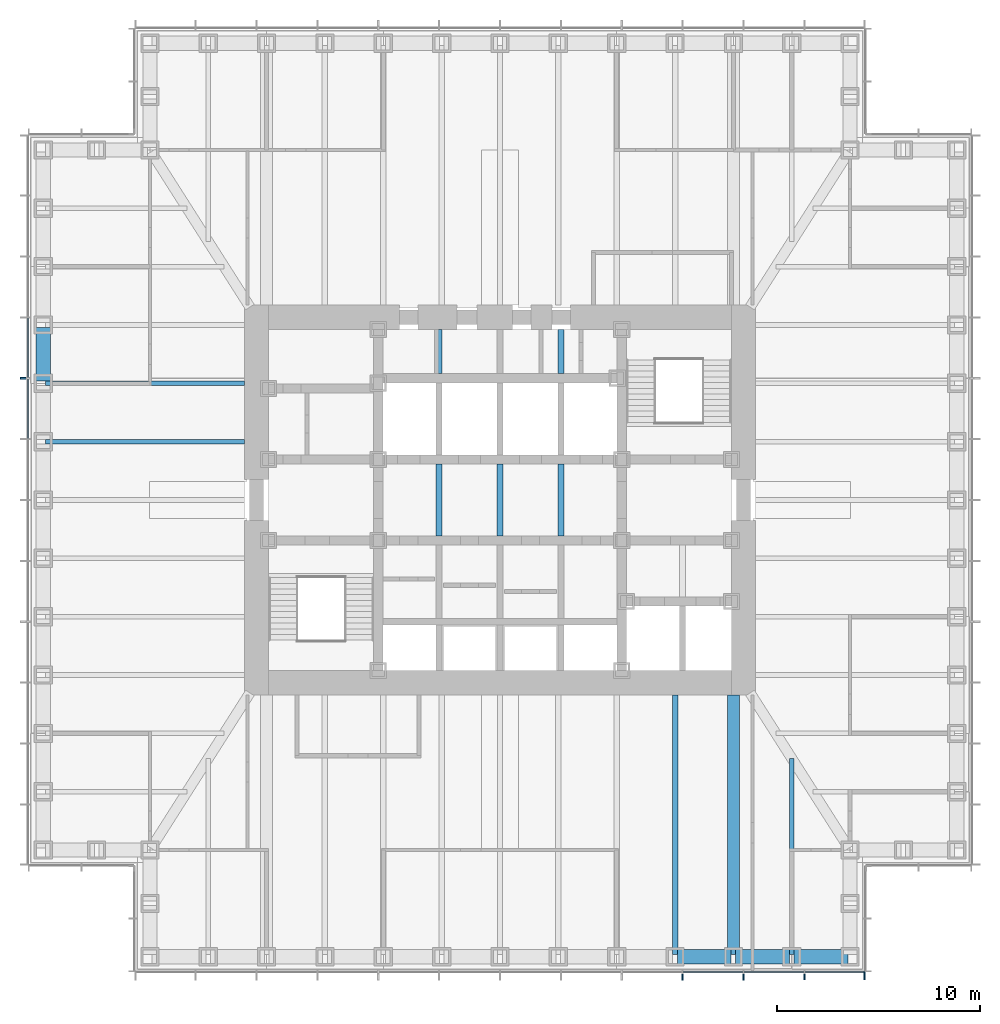
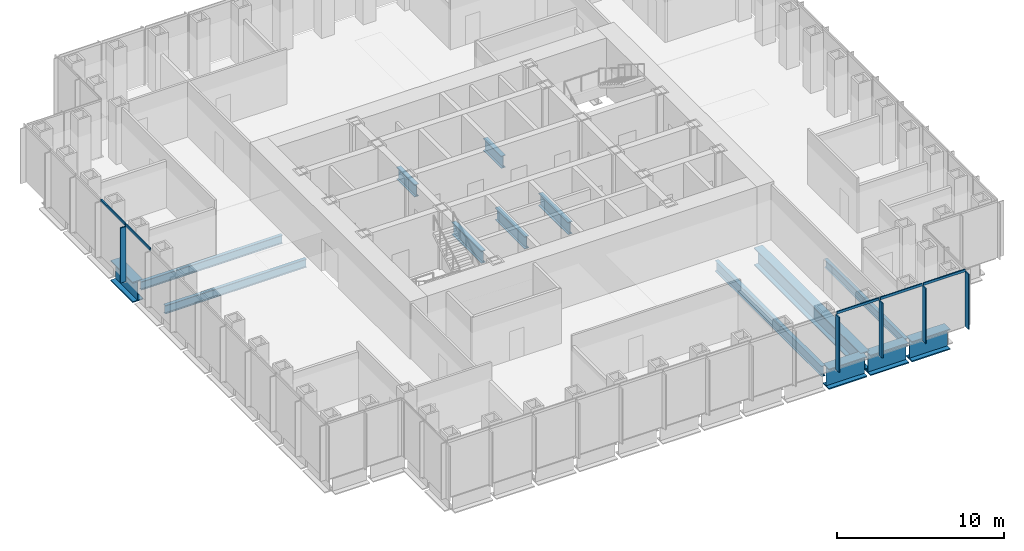
# One storey, part 3 of 17: 14 beams, 10 members, 2 elements without a shape of their own.
"""IFC4 building model written with IfcOpenShell, lengths in metres."""

from ifc_helpers import new_model, si_unit, direction, frame, origin, origin_2d, place, context, subcontext, project, spatial, rectangle, i_section, extrude, material, material_profile, profile_set, type_object, element, aggregate, save


model = new_model("IFC4")

# Units and contexts
model_context = context("Model", 3, precision=1e-05, world=origin(), true_north=direction((0.0, 1.0)))
body_context = subcontext(model_context, "Body", "Model", "MODEL_VIEW")
ifc_project = project(units=[si_unit("LENGTHUNIT", "METRE"), si_unit("AREAUNIT", "SQUARE_METRE"), si_unit("VOLUMEUNIT", "CUBIC_METRE"), si_unit("PLANEANGLEUNIT", "RADIAN"), si_unit("MASSUNIT", "GRAM", prefix="KILO")], contexts=[model_context])

# Site, building, storey
site_placement = place(None, origin())
site = spatial("IfcSite", under=ifc_project, at=site_placement, CompositionType="ELEMENT")
building_placement = place(site_placement, origin())
building = spatial("IfcBuilding", under=site, at=building_placement, Name="Daluyong Arena Tower", CompositionType="ELEMENT")
storey_placement = place(building_placement, frame((0.0, 0.0, 150.10009765625)))
storey = spatial("IfcBuildingStorey", under=building, at=storey_placement, Name="L33", CompositionType="ELEMENT", Elevation=150.10009765625)

# Curtain wall, members
ifc_material_1 = material(Name="Bronze anodised aluminium and glass", Category="aluminium")
curtain_wall_type = type_object("IfcCurtainWallType", Name="Curtain wall CW2", PredefinedType="USERDEFINED", material=ifc_material_1)
curtain_wall_1_placement = place(storey_placement, origin())
curtain_wall_1 = element("IfcCurtainWall", 1, at=curtain_wall_1_placement, inside=storey, type_object=curtain_wall_type, Name="curtain wall L33 S", ObjectType="UNITISED CURTAIN WALL", PredefinedType="USERDEFINED")
ifc_material_2 = material(Name="Bronze anodised aluminium fin", Category="aluminium")
ifc_material_profile_1 = material_profile(ifc_material_2, rectangle(XDim=0.39990234375, YDim=0.080078125, at=origin_2d()))
ifc_profile_set_1 = profile_set([ifc_material_profile_1], Name="Bronze anodised aluminium fin")
member_type_1 = type_object("IfcMemberType", Name="CW2 bronze fin 400x80", PredefinedType="MULLION", material=ifc_profile_set_1)
member_1_placement = place(storey_placement, frame((65.0, 56.550048828125, 0.0), z_axis=(0.0, 0.0, 1.0), x_axis=(0.0, 1.0, 0.0)))
member_1 = element("IfcMember", 2, at=member_1_placement, type_object=member_type_1, Name="curtain wall L33 S fin 10", PredefinedType="MULLION", context=body_context, shape_type="SweptSolid", body=[
    extrude(rectangle(XDim=0.39990234375, YDim=0.080078125, at=origin_2d()), origin(), (0.0, 0.0, 1.0), 4.02001953125),
])
member_2_placement = place(storey_placement, frame((68.0, 56.550048828125, 0.0), z_axis=(0.0, 0.0, 1.0), x_axis=(0.0, 1.0, 0.0)))
member_2 = element("IfcMember", 3, at=member_2_placement, type_object=member_type_1, Name="curtain wall L33 S fin 11", PredefinedType="MULLION", context=body_context, shape_type="SweptSolid", body=[
    extrude(rectangle(XDim=0.39990234375, YDim=0.080078125, at=origin_2d()), origin(), (0.0, 0.0, 1.0), 4.02001953125),
])
member_3_placement = place(storey_placement, frame((71.0, 56.550048828125, 0.0), z_axis=(0.0, 0.0, 1.0), x_axis=(0.0, 1.0, 0.0)))
member_3 = element("IfcMember", 4, at=member_3_placement, type_object=member_type_1, Name="curtain wall L33 S fin 12", PredefinedType="MULLION", context=body_context, shape_type="SweptSolid", body=[
    extrude(rectangle(XDim=0.39990234375, YDim=0.080078125, at=origin_2d()), origin(), (0.0, 0.0, 1.0), 4.02001953125),
])
member_4_placement = place(storey_placement, frame((73.9599609375, 56.550048828125, 0.0), z_axis=(0.0, 0.0, 1.0), x_axis=(0.0, 1.0, 0.0)))
member_4 = element("IfcMember", 5, at=member_4_placement, type_object=member_type_1, Name="curtain wall L33 S fin 13", PredefinedType="MULLION", context=body_context, shape_type="SweptSolid", body=[
    extrude(rectangle(XDim=0.39990234375, YDim=0.080078125, at=origin_2d()), origin(), (0.0, 0.0, 1.0), 4.02001953125),
])

# Curtain wall, member
curtain_wall_2_placement = place(storey_placement, origin())
curtain_wall_2 = element("IfcCurtainWall", 6, at=curtain_wall_2_placement, inside=storey, type_object=curtain_wall_type, Name="curtain wall L33 W", ObjectType="UNITISED CURTAIN WALL", PredefinedType="USERDEFINED")
member_5_placement = place(storey_placement, frame((32.550048828125, 86.0, 0.0), z_axis=(0.0, 0.0, 1.0), x_axis=(1.0, 0.0, 0.0)))
member_5 = element("IfcMember", 7, at=member_5_placement, type_object=member_type_1, Name="curtain wall L33 W fin 5", PredefinedType="MULLION", context=body_context, shape_type="SweptSolid", body=[
    extrude(rectangle(XDim=0.39990234375, YDim=0.080078125, at=origin_2d()), origin(), (0.0, 0.0, 1.0), 4.02001953125),
])

# Member
ifc_material_3 = material(Name="Bronze anodised aluminium", Category="aluminium")
ifc_material_profile_2 = material_profile(ifc_material_3, rectangle(XDim=0.080078125, YDim=0.179931640625, at=origin_2d()))
ifc_profile_set_2 = profile_set([ifc_material_profile_2], Name="Bronze anodised aluminium")
member_type_2 = type_object("IfcMemberType", Name="CW2 stack transom 180x80", PredefinedType="USERDEFINED", material=ifc_profile_set_2)
member_6_placement = place(storey_placement, frame((65.0400390625, 56.75, 4.10986328125), z_axis=(1.0, 0.0, 0.0), x_axis=(0.0, 1.0, 0.0)))
member_6 = element("IfcMember", 8, at=member_6_placement, type_object=member_type_2, Name="curtain wall L33 S transom 10", ObjectType="TRANSOM", PredefinedType="USERDEFINED", context=body_context, shape_type="SweptSolid", body=[
    extrude(rectangle(XDim=0.080078125, YDim=0.179931640625, at=origin_2d()), origin(), (0.0, 0.0, 1.0), 2.919921875),
])

member_7_placement = place(storey_placement, frame((68.0400390625, 56.75, 4.10986328125), z_axis=(1.0, 0.0, 0.0), x_axis=(0.0, 1.0, 0.0)))
member_7 = element("IfcMember", 9, at=member_7_placement, type_object=member_type_2, Name="curtain wall L33 S transom 11", ObjectType="TRANSOM", PredefinedType="USERDEFINED", context=body_context, shape_type="SweptSolid", body=[
    extrude(rectangle(XDim=0.080078125, YDim=0.179931640625, at=origin_2d()), origin(), (0.0, 0.0, 1.0), 2.919921875),
])

member_8_placement = place(storey_placement, frame((71.0400390625, 56.75, 4.10986328125), z_axis=(1.0, 0.0, 0.0), x_axis=(0.0, 1.0, 0.0)))
member_8 = element("IfcMember", 10, at=member_8_placement, type_object=member_type_2, Name="curtain wall L33 S transom 12", ObjectType="TRANSOM", PredefinedType="USERDEFINED", context=body_context, shape_type="SweptSolid", body=[
    extrude(rectangle(XDim=0.080078125, YDim=0.179931640625, at=origin_2d()), origin(), (0.0, 0.0, 1.0), 2.8798828125),
])

aggregate(curtain_wall_1, [member_1, member_2, member_3, member_4, member_6, member_7, member_8])

member_9_placement = place(storey_placement, frame((32.75, 88.9599609375, 4.10986328125), z_axis=(0.0, -1.0, 0.0), x_axis=(1.0, 0.0, 0.0)))
member_9 = element("IfcMember", 11, at=member_9_placement, type_object=member_type_2, Name="curtain wall L33 W transom 4", ObjectType="TRANSOM", PredefinedType="USERDEFINED", context=body_context, shape_type="SweptSolid", body=[
    extrude(rectangle(XDim=0.080078125, YDim=0.179931640625, at=origin_2d()), origin(), (0.0, 0.0, 1.0), 2.919921875),
])

member_10_placement = place(storey_placement, frame((32.75, 85.9599609375, 4.10986328125), z_axis=(0.0, -1.0, 0.0), x_axis=(1.0, 0.0, 0.0)))
member_10 = element("IfcMember", 12, at=member_10_placement, type_object=member_type_2, Name="curtain wall L33 W transom 5", ObjectType="TRANSOM", PredefinedType="USERDEFINED", context=body_context, shape_type="SweptSolid", body=[
    extrude(rectangle(XDim=0.080078125, YDim=0.179931640625, at=origin_2d()), origin(), (0.0, 0.0, 1.0), 2.919921875),
])

aggregate(curtain_wall_2, [member_5, member_9, member_10])

# Beams
ifc_material_4 = material(Name="Steel ASTM A572 Grade 50", Category="steel")
ifc_material_profile_3 = material_profile(ifc_material_4, i_section(OverallWidth=0.60009765625, OverallDepth=1.300048828125, WebThickness=0.035, FlangeThickness=0.07, at=origin_2d()))
ifc_profile_set_3 = profile_set([ifc_material_profile_3], Name="Steel ASTM A572 Grade 50")
beam_type_1 = type_object("IfcBeamType", Name="Floor beam TB1300X600", PredefinedType="BEAM", material=ifc_profile_set_3)
beam_1_placement = place(storey_placement, frame((67.5, 57.614990234375, -0.81005859375), z_axis=(0.0, 1.0, 0.0), x_axis=(-1.0, 0.0, 0.0)))
element("IfcBeam", 13, at=beam_1_placement, inside=storey, type_object=beam_type_1, Name="floor beam FB7", PredefinedType="BEAM", context=body_context, shape_type="SweptSolid", body=[
    extrude(i_section(OverallWidth=0.60009765625, OverallDepth=1.300048828125, WebThickness=0.035, FlangeThickness=0.07, at=origin_2d()), origin(), (0.0, 0.0, 1.0), 12.784912109375),
])
ifc_material_5 = material(Name="Steel ASTM A992 Grade 50", Category="steel")
ifc_material_profile_4 = material_profile(ifc_material_5, i_section(OverallWidth=0.22900390625, OverallDepth=0.612060546875, WebThickness=0.011962890625, FlangeThickness=0.01953125, at=origin_2d()))
ifc_profile_set_4 = profile_set([ifc_material_profile_4], Name="Steel ASTM A992 Grade 50")
beam_type_2 = type_object("IfcBeamType", Name="Floor beam W24X84", PredefinedType="BEAM", material=ifc_profile_set_4)
beam_2_placement = place(storey_placement, frame((70.375, 57.614990234375, -0.466064453125), z_axis=(0.0, 1.0, 0.0), x_axis=(-1.0, 0.0, 0.0)))
element("IfcBeam", 14, at=beam_2_placement, inside=storey, type_object=beam_type_2, Name="floor beam FB3", PredefinedType="BEAM", context=body_context, shape_type="SweptSolid", body=[
    extrude(i_section(OverallWidth=0.22900390625, OverallDepth=0.612060546875, WebThickness=0.011962890625, FlangeThickness=0.01953125, at=origin_2d()), origin(), (0.0, 0.0, 1.0), 9.65283203125),
])
for number, where, z_axis, x_axis, name in (
    (15, (33.614990234375, 85.75, -0.466064453125), (1.0, 0.0, 0.0), (0.0, 1.0, 0.0), "floor beam FB3"),
    (16, (33.614990234375, 82.875, -0.466064453125), (1.0, 0.0, 0.0), (0.0, 1.0, 0.0), "floor beam FB3"),
):
    element("IfcBeam", number, at=place(storey_placement, frame(where, z_axis=z_axis, x_axis=x_axis)), inside=storey, type_object=beam_type_2, Name=name, PredefinedType="BEAM", context=body_context, shape_type="SweptSolid", body=[
        extrude(i_section(OverallWidth=0.22900390625, OverallDepth=0.612060546875, WebThickness=0.011962890625, FlangeThickness=0.01953125, at=origin_2d()), origin(), (0.0, 0.0, 1.0), 9.784912109375),
    ])
ifc_material_6 = material(Name="Steel ASTM A992 Grade 50", Category="steel")
ifc_material_profile_5 = material_profile(ifc_material_6, i_section(OverallWidth=0.2666015625, OverallDepth=0.761962890625, WebThickness=0.014404296875, FlangeThickness=0.021484375, at=origin_2d()))
ifc_profile_set_5 = profile_set([ifc_material_profile_5], Name="Steel ASTM A992 Grade 50")
beam_type_3 = type_object("IfcBeamType", Name="Floor beam W30X116", PredefinedType="BEAM", material=ifc_profile_set_5)
beam_3_placement = place(storey_placement, frame((64.625, 57.614990234375, -0.541015625), z_axis=(0.0, 1.0, 0.0), x_axis=(-1.0, 0.0, 0.0)))
element("IfcBeam", 17, at=beam_3_placement, inside=storey, type_object=beam_type_3, Name="floor beam FB4", PredefinedType="BEAM", context=body_context, shape_type="SweptSolid", body=[
    extrude(i_section(OverallWidth=0.2666015625, OverallDepth=0.761962890625, WebThickness=0.014404296875, FlangeThickness=0.021484375, at=origin_2d()), origin(), (0.0, 0.0, 1.0), 12.784912109375),
])
ifc_material_7 = material(Name="Steel ASTM A572 Grade 50", Category="steel")
ifc_material_profile_6 = material_profile(ifc_material_7, i_section(OverallWidth=0.300048828125, OverallDepth=0.89990234375, WebThickness=0.025, FlangeThickness=0.04, at=origin_2d()))
ifc_profile_set_6 = profile_set([ifc_material_profile_6], Name="Steel ASTM A572 Grade 50")
beam_type_4 = type_object("IfcBeamType", Name="Lift divider beam PG900X300", PredefinedType="BEAM", material=ifc_profile_set_6)
beam_4_placement = place(storey_placement, frame((53.0, 78.22509765625, -0.610107421875), z_axis=(0.0, 1.0, 0.0), x_axis=(-1.0, 0.0, 0.0)))
element("IfcBeam", 18, at=beam_4_placement, inside=storey, type_object=beam_type_4, Name="lift divider beam DB1", PredefinedType="BEAM", context=body_context, shape_type="SweptSolid", body=[
    extrude(i_section(OverallWidth=0.300048828125, OverallDepth=0.89990234375, WebThickness=0.025, FlangeThickness=0.04, at=origin_2d()), origin(), (0.0, 0.0, 1.0), 3.5498046875),
])
beam_5_placement = place(storey_placement, frame((53.0, 86.22509765625, -0.610107421875), z_axis=(0.0, 1.0, 0.0), x_axis=(-1.0, 0.0, 0.0)))
element("IfcBeam", 19, at=beam_5_placement, inside=storey, type_object=beam_type_4, Name="lift divider beam DB1", PredefinedType="BEAM", context=body_context, shape_type="SweptSolid", body=[
    extrude(i_section(OverallWidth=0.300048828125, OverallDepth=0.89990234375, WebThickness=0.025, FlangeThickness=0.04, at=origin_2d()), origin(), (0.0, 0.0, 1.0), 2.1748046875),
])
for number, where, z_axis, x_axis, name in (
    (20, (56.0, 78.22509765625, -0.610107421875), (0.0, 1.0, 0.0), (-1.0, 0.0, 0.0), "lift divider beam DB1"),
    (21, (59.0, 78.22509765625, -0.610107421875), (0.0, 1.0, 0.0), (-1.0, 0.0, 0.0), "lift divider beam DB1"),
):
    element("IfcBeam", number, at=place(storey_placement, frame(where, z_axis=z_axis, x_axis=x_axis)), inside=storey, type_object=beam_type_4, Name=name, PredefinedType="BEAM", context=body_context, shape_type="SweptSolid", body=[
        extrude(i_section(OverallWidth=0.300048828125, OverallDepth=0.89990234375, WebThickness=0.025, FlangeThickness=0.04, at=origin_2d()), origin(), (0.0, 0.0, 1.0), 3.5498046875),
    ])
beam_6_placement = place(storey_placement, frame((59.0, 86.22509765625, -0.610107421875), z_axis=(0.0, 1.0, 0.0), x_axis=(-1.0, 0.0, 0.0)))
element("IfcBeam", 22, at=beam_6_placement, inside=storey, type_object=beam_type_4, Name="lift divider beam DB1", PredefinedType="BEAM", context=body_context, shape_type="SweptSolid", body=[
    extrude(i_section(OverallWidth=0.300048828125, OverallDepth=0.89990234375, WebThickness=0.025, FlangeThickness=0.04, at=origin_2d()), origin(), (0.0, 0.0, 1.0), 2.1748046875),
])
ifc_material_8 = material(Name="Steel ASTM A572 Grade 50", Category="steel")
ifc_material_profile_7 = material_profile(ifc_material_8, i_section(OverallWidth=0.699951171875, OverallDepth=1.5, WebThickness=0.04, FlangeThickness=0.08, at=origin_2d()))
ifc_profile_set_7 = profile_set([ifc_material_profile_7], Name="Steel ASTM A572 Grade 50")
beam_type_5 = type_object("IfcBeamType", Name="Spandrel Z2 PG1500X700", PredefinedType="SPANDREL", material=ifc_profile_set_7)
for number, where, z_axis, x_axis, name in (
    (23, (64.739990234375, 57.5, -0.91015625), (1.0, 0.0, 0.0), (0.0, 1.0, 0.0), "spandrel z2 SB6"),
    (24, (67.614990234375, 57.5, -0.91015625), (1.0, 0.0, 0.0), (0.0, 1.0, 0.0), "spandrel z2 SB6"),
    (25, (70.489990234375, 57.5, -0.91015625), (1.0, 0.0, 0.0), (0.0, 1.0, 0.0), "spandrel z2 SB6"),
    (26, (33.5, 88.510009765625, -0.91015625), (0.0, -1.0, 0.0), (1.0, 0.0, 0.0), "spandrel z2 SB6"),
):
    element("IfcBeam", number, at=place(storey_placement, frame(where, z_axis=z_axis, x_axis=x_axis)), inside=storey, type_object=beam_type_5, Name=name, PredefinedType="SPANDREL", context=body_context, shape_type="SweptSolid", body=[
        extrude(i_section(OverallWidth=0.699951171875, OverallDepth=1.5, WebThickness=0.04, FlangeThickness=0.08, at=origin_2d()), origin(), (0.0, 0.0, 1.0), 2.64501953125),
    ])

save(model, "model.ifc")
